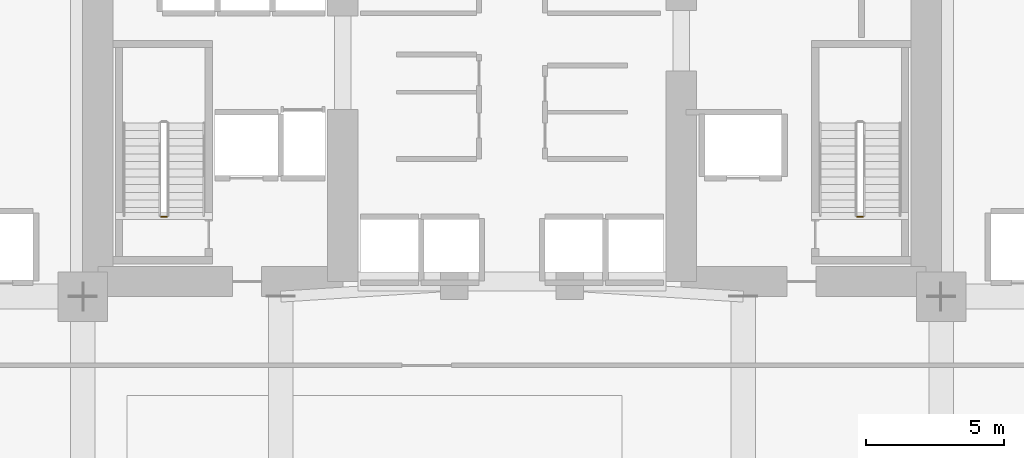
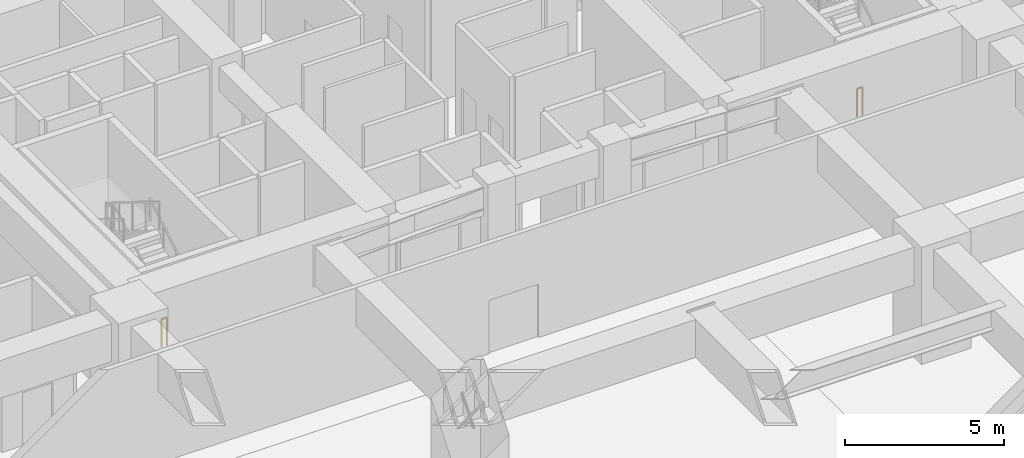
# One storey, part 22 of 25: 2 railings.
"""IFC4 building model written with IfcOpenShell, lengths in metres."""

from ifc_helpers import new_model, si_unit, direction, frame, origin, origin_2d, place, context, subcontext, project, spatial, rectangle, extrude, material, type_object, element, save


model = new_model("IFC4")

# Units and contexts
model_context = context("Model", 3, precision=1e-05, world=origin(), true_north=direction((0.0, 1.0)))
body_context = subcontext(model_context, "Body", "Model", "MODEL_VIEW")
ifc_project = project(units=[si_unit("LENGTHUNIT", "METRE"), si_unit("AREAUNIT", "SQUARE_METRE"), si_unit("VOLUMEUNIT", "CUBIC_METRE"), si_unit("PLANEANGLEUNIT", "RADIAN"), si_unit("MASSUNIT", "GRAM", prefix="KILO")], contexts=[model_context])

# Site, building, storey
site_placement = place(None, origin())
site = spatial("IfcSite", under=ifc_project, at=site_placement, CompositionType="ELEMENT")
building_placement = place(site_placement, origin())
building = spatial("IfcBuilding", under=site, at=building_placement, Name="Kiyonajd Concourse Tower", CompositionType="ELEMENT")
storey_placement = place(building_placement, frame((0.0, 0.0, 17.10009765625)))
storey = spatial("IfcBuildingStorey", under=building, at=storey_placement, Name="L05", CompositionType="ELEMENT", Elevation=17.10009765625)

# Railings
ifc_material = material(Name="Steel ASTM A500 Grade C", Category="steel")
railing_type = type_object("IfcRailingType", Name="RL-GRD-STR", PredefinedType="GUARDRAIL", material=ifc_material)
for number, where, name in (
    (1, (35.449951171875, 30.5, 0.0), "L05 ST1 stair guard 4"),
    (2, (60.75, 30.5, 0.0), "L05 ST2 stair guard 4"),
):
    element("IfcRailing", number, at=place(storey_placement, frame(where)), inside=storey, type_object=railing_type, Name=name, PredefinedType="GUARDRAIL", context=body_context, shape_type="SweptSolid", body=[
        extrude(rectangle(XDim=0.048095703125, YDim=0.048095703125, at=origin_2d()), frame((0.0, 0.0, 1.076171875), z_axis=(-1.0, 0.0, 0.0), x_axis=(0.0, -1.0, 0.0)), (0.0, 0.0, 1.0), 0.199951171875),
        extrude(rectangle(XDim=0.0419921875, YDim=0.0419921875, at=origin_2d()), origin(), (0.0, 0.0, 1.0), 1.052001953125),
        extrude(rectangle(XDim=0.0419921875, YDim=0.0419921875, at=origin_2d()), frame((-0.199951171875, 0.0, 0.0)), (0.0, 0.0, 1.0), 1.052001953125),
    ])

save(model, "model.ifc")
